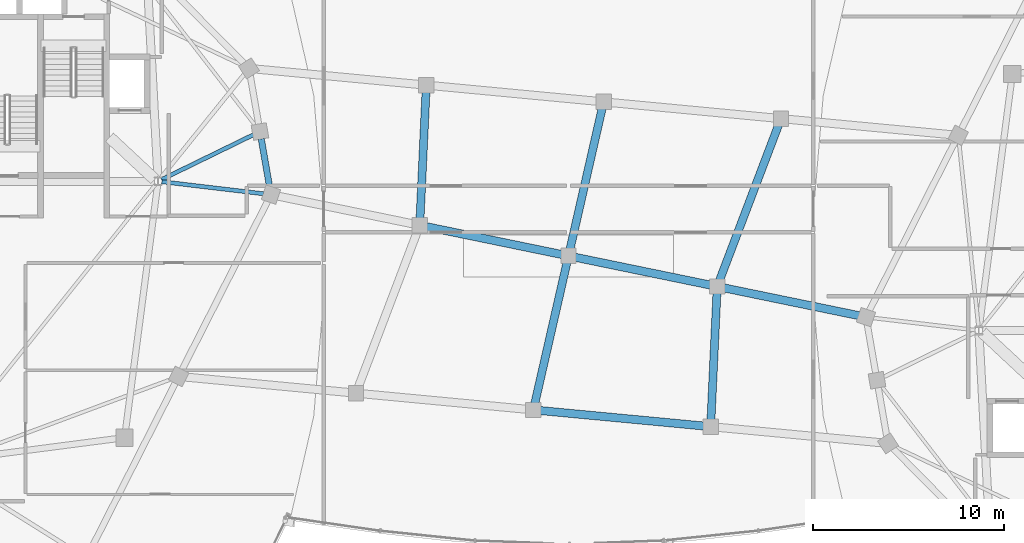
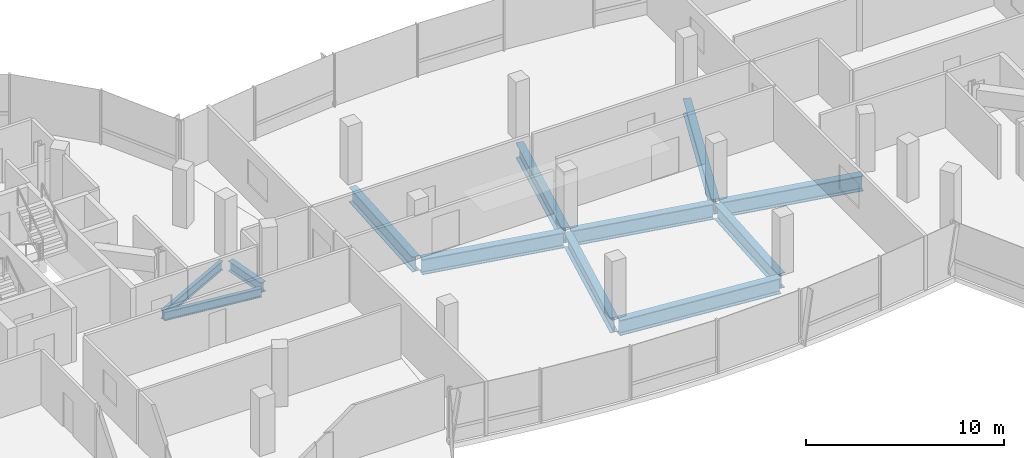
# One storey, part 5 of 26: 12 beams.
"""IFC4 building model written with IfcOpenShell, lengths in metres."""

from ifc_helpers import new_model, si_unit, direction, frame, origin, origin_2d, place, context, subcontext, project, spatial, i_section, extrude, material, material_profile, profile_set, type_object, element, save


model = new_model("IFC4")

# Units and contexts
model_context = context("Model", 3, precision=1e-05, world=origin(), true_north=direction((0.0, 1.0)))
body_context = subcontext(model_context, "Body", "Model", "MODEL_VIEW")
ifc_project = project(units=[si_unit("LENGTHUNIT", "METRE"), si_unit("AREAUNIT", "SQUARE_METRE"), si_unit("VOLUMEUNIT", "CUBIC_METRE"), si_unit("PLANEANGLEUNIT", "RADIAN"), si_unit("MASSUNIT", "GRAM", prefix="KILO"), si_unit("THERMODYNAMICTEMPERATUREUNIT", "KELVIN"), si_unit("POWERUNIT", "WATT")], contexts=[model_context])

# Site, building, storey
site_placement = place(None, origin())
site = spatial("IfcSite", under=ifc_project, at=site_placement, CompositionType="ELEMENT")
building_placement = place(site_placement, origin())
building = spatial("IfcBuilding", under=site, at=building_placement, Name="Cundina Bronze Exchange", CompositionType="ELEMENT")
storey_placement = place(building_placement, frame((0.0, 0.0, 243.199951171875)))
storey = spatial("IfcBuildingStorey", under=building, at=storey_placement, Name="L64", CompositionType="ELEMENT", Elevation=243.199951171875)

# Beams
ifc_material = material(Name="Steel ASTM A992 Grade 50", Category="steel")
ifc_material_profile_1 = material_profile(ifc_material, i_section(OverallWidth=0.2119140625, OverallDepth=0.5439453125, WebThickness=0.01318359375, FlangeThickness=0.021240234375, FilletRadius=0.013916015625, at=origin_2d()), Name="W21X83", Category="steel")
ifc_profile_set_1 = profile_set([ifc_material_profile_1], Name="Steel ASTM A992 Grade 50")
beam_type_1 = type_object("IfcBeamType", Name="BM-FLR-W21A", PredefinedType="BEAM", material=ifc_profile_set_1)
beam_1_placement = place(storey_placement, frame((-21.25537109375, 3.876953125, -0.531982421875), z_axis=(0.993031892142, -0.117845921393, 0.0), x_axis=(0.117845921393, 0.993031892142, 0.0)))
element("IfcBeam", 1, at=beam_1_placement, inside=storey, type_object=beam_type_1, Name="L64 Leg W Radial Floor Beam 00", PredefinedType="BEAM", context=body_context, shape_type="SweptSolid", body=[
    extrude(i_section(OverallWidth=0.2119140625, OverallDepth=0.5439453125, WebThickness=0.01318359375, FlangeThickness=0.021240234375, FilletRadius=0.013916015625, at=origin_2d()), origin(), (0.0, 0.0, 1.0), 5.357421875),
])
beam_2_placement = place(storey_placement, frame((-21.27392578125, 3.986083984375, -0.531982421875), z_axis=(0.898610260891, 0.438747762412, 0.0), x_axis=(-0.438747762412, 0.898610260891, 0.0)))
element("IfcBeam", 2, at=beam_2_placement, inside=storey, type_object=beam_type_1, Name="L64 Leg W Radial Floor Beam 01", PredefinedType="BEAM", context=body_context, shape_type="SweptSolid", body=[
    extrude(i_section(OverallWidth=0.2119140625, OverallDepth=0.5439453125, WebThickness=0.01318359375, FlangeThickness=0.021240234375, FilletRadius=0.013916015625, at=origin_2d()), origin(), (0.0, 0.0, 1.0), 5.341796875),
])
ifc_material_profile_2 = material_profile(ifc_material, i_section(OverallWidth=0.324951171875, OverallDepth=0.615966796875, WebThickness=0.013916015625, FlangeThickness=0.021484375, FilletRadius=0.01611328125, at=origin_2d()), Name="W24X117", Category="steel")
ifc_profile_set_2 = profile_set([ifc_material_profile_2], Name="Steel ASTM A992 Grade 50")
beam_type_2 = type_object("IfcBeamType", Name="BM-RING-W24", PredefinedType="USERDEFINED", material=ifc_profile_set_2)
beam_3_placement = place(storey_placement, frame((-15.61669921875, 3.582275390625, -0.56787109375), z_axis=(-0.171593362587, 0.985167862811, 0.0), x_axis=(-0.985167862811, -0.171593362587, 0.0)))
element("IfcBeam", 3, at=beam_3_placement, inside=storey, type_object=beam_type_2, Name="L64 W Perimeter Ring Girder 00", ObjectType="GIRDER", PredefinedType="USERDEFINED", context=body_context, shape_type="SweptSolid", body=[
    extrude(i_section(OverallWidth=0.324951171875, OverallDepth=0.615966796875, WebThickness=0.013916015625, FlangeThickness=0.021484375, FilletRadius=0.01611328125, at=origin_2d()), origin(), (0.0, 0.0, 1.0), 2.57373046875),
])
ifc_material_profile_3 = material_profile(ifc_material, i_section(OverallWidth=0.423095703125, OverallDepth=0.947998046875, WebThickness=0.02392578125, FlangeThickness=0.042724609375, FilletRadius=0.02392578125, at=origin_2d()), Name="W36X302", Category="steel")
ifc_profile_set_3 = profile_set([ifc_material_profile_3], Name="Steel ASTM A992 Grade 50")
beam_type_3 = type_object("IfcBeamType", Name="BM-WRN-W36A", PredefinedType="USERDEFINED", material=ifc_profile_set_3)
beam_4_placement = place(storey_placement, frame((-1.658203125, -8.06689453125, -0.7939453125), z_axis=(0.995572136276, -0.094000646124, 0.0), x_axis=(0.094000646124, 0.995572136276, 0.0)))
element("IfcBeam", 4, at=beam_4_placement, inside=storey, type_object=beam_type_3, Name="L64 Sky-Gate Longitudinal Girder Y1-P3", ObjectType="GIRDER", PredefinedType="USERDEFINED", context=body_context, shape_type="SweptSolid", body=[
    extrude(i_section(OverallWidth=0.423095703125, OverallDepth=0.947998046875, WebThickness=0.02392578125, FlangeThickness=0.042724609375, FilletRadius=0.02392578125, at=origin_2d()), origin(), (0.0, 0.0, 1.0), 8.949951171875),
])
for number, where, z_axis, x_axis, name in (
    (5, (-7.5986328125, 1.563720703125, -0.7939453125), (0.979477625294, -0.201552924934, 0.0), (0.201552924934, 0.979477625294, 0.0), "L64 Sky-Gate Longitudinal Girder Y2-P2"),
    (6, (0.17626953125, -0.036376953125, -0.7939453125), (0.979477625294, -0.201552924934, 0.0), (0.201552924934, 0.979477625294, 0.0), "L64 Sky-Gate Longitudinal Girder Y2-P3"),
    (7, (7.951416015625, -1.63623046875, -0.7939453125), (0.979471264571, -0.20158383338, 0.0), (0.20158383338, 0.979471264571, 0.0), "L64 Sky-Gate Longitudinal Girder Y2-P4"),
):
    element("IfcBeam", number, at=place(storey_placement, frame(where, z_axis=z_axis, x_axis=x_axis)), inside=storey, type_object=beam_type_3, Name=name, ObjectType="GIRDER", PredefinedType="USERDEFINED", context=body_context, shape_type="SweptSolid", body=[
        extrude(i_section(OverallWidth=0.423095703125, OverallDepth=0.947998046875, WebThickness=0.02392578125, FlangeThickness=0.042724609375, FilletRadius=0.02392578125, at=origin_2d()), origin(), (0.0, 0.0, 1.0), 7.577880859375),
    ])
ifc_material_profile_4 = material_profile(ifc_material, i_section(OverallWidth=0.41796875, OverallDepth=0.927001953125, WebThickness=0.019287109375, FlangeThickness=0.031982421875, FilletRadius=0.02392578125, at=origin_2d()), Name="W36X231", Category="steel")
ifc_profile_set_4 = profile_set([ifc_material_profile_4], Name="Steel ASTM A992 Grade 50")
beam_type_4 = type_object("IfcBeamType", Name="BM-WRN-W36B", PredefinedType="USERDEFINED", material=ifc_profile_set_4)
beam_5_placement = place(storey_placement, frame((-7.7666015625, 1.77978515625, -0.783447265625), z_axis=(0.046881448177, 0.998900460415, 0.0), x_axis=(-0.998900460415, 0.046881448177, 0.0)))
element("IfcBeam", 8, at=beam_5_placement, inside=storey, type_object=beam_type_4, Name="L64 Sky-Gate Transverse Girder X1-N", ObjectType="GIRDER", PredefinedType="USERDEFINED", context=body_context, shape_type="SweptSolid", body=[
    extrude(i_section(OverallWidth=0.41796875, OverallDepth=0.927001953125, WebThickness=0.019287109375, FlangeThickness=0.031982421875, FilletRadius=0.02392578125, at=origin_2d()), origin(), (0.0, 0.0, 1.0), 6.972900390625),
])
for number, where, z_axis, x_axis, name in (
    (9, (-1.79736328125, -7.87451171875, -0.783447265625), (0.222530984599, 0.974925618134, 0.0), (-0.974925618134, 0.222530984599, 0.0), "L64 Sky-Gate Transverse Girder X2-S"),
    (10, (0.0400390625, 0.175537109375, -0.783447265625), (0.222530984599, 0.974925618134, 0.0), (-0.974925618134, 0.222530984599, 0.0), "L64 Sky-Gate Transverse Girder X2-N"),
):
    element("IfcBeam", number, at=place(storey_placement, frame(where, z_axis=z_axis, x_axis=x_axis)), inside=storey, type_object=beam_type_4, Name=name, ObjectType="GIRDER", PredefinedType="USERDEFINED", context=body_context, shape_type="SweptSolid", body=[
        extrude(i_section(OverallWidth=0.41796875, OverallDepth=0.927001953125, WebThickness=0.019287109375, FlangeThickness=0.031982421875, FilletRadius=0.02392578125, at=origin_2d()), origin(), (0.0, 0.0, 1.0), 7.89697265625),
    ])
beam_6_placement = place(storey_placement, frame((7.439697265625, -8.7451171875, -0.783447265625), z_axis=(0.046881448177, 0.998900460415, 0.0), x_axis=(-0.998900460415, 0.046881448177, 0.0)))
element("IfcBeam", 11, at=beam_6_placement, inside=storey, type_object=beam_type_4, Name="L64 Sky-Gate Transverse Girder X3-S", ObjectType="GIRDER", PredefinedType="USERDEFINED", context=body_context, shape_type="SweptSolid", body=[
    extrude(i_section(OverallWidth=0.41796875, OverallDepth=0.927001953125, WebThickness=0.019287109375, FlangeThickness=0.031982421875, FilletRadius=0.02392578125, at=origin_2d()), origin(), (0.0, 0.0, 1.0), 6.972900390625),
])
beam_7_placement = place(storey_placement, frame((7.8388671875, -1.431640625, -0.783447265625), z_axis=(0.354935532146, 0.934890778658, 0.0), x_axis=(-0.934890778658, 0.354935532146, 0.0)))
element("IfcBeam", 12, at=beam_7_placement, inside=storey, type_object=beam_type_4, Name="L64 Sky-Gate Transverse Girder X3-N", ObjectType="GIRDER", PredefinedType="USERDEFINED", context=body_context, shape_type="SweptSolid", body=[
    extrude(i_section(OverallWidth=0.41796875, OverallDepth=0.927001953125, WebThickness=0.019287109375, FlangeThickness=0.031982421875, FilletRadius=0.02392578125, at=origin_2d()), origin(), (0.0, 0.0, 1.0), 9.02587890625),
])

save(model, "model.ifc")
